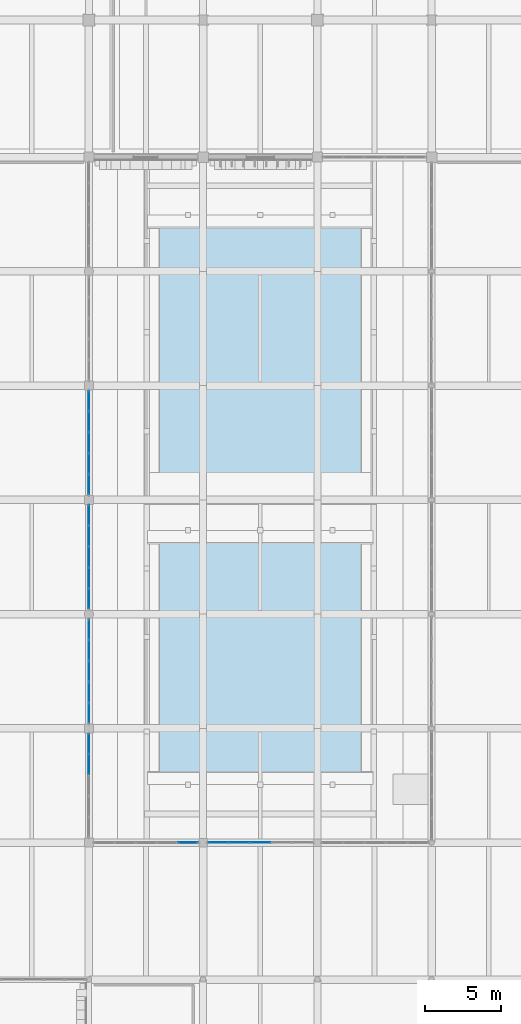
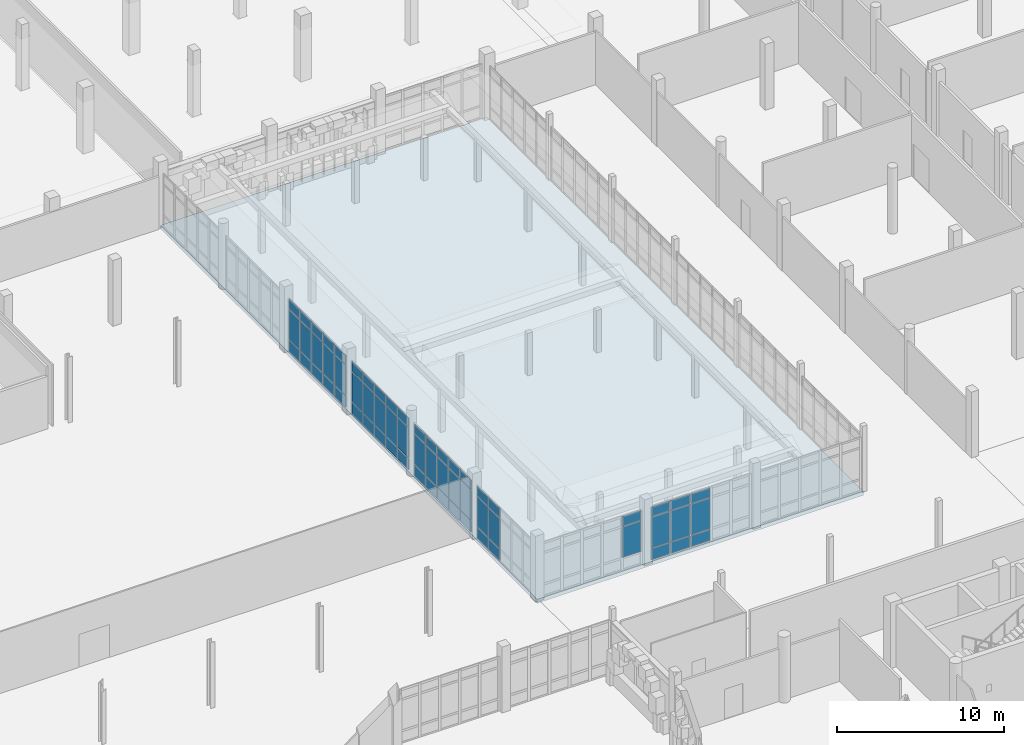
# One storey, part 76 of 125: 62 plates, 1 slab, 6 elements without a shape of their own.
"""IFC4 building model written with IfcOpenShell, lengths in metres."""

from ifc_helpers import new_model, si_unit, direction, frame, origin, origin_2d, place, context, subcontext, project, spatial, polyline, rectangle, outline, extrude, material, layer, layer_set, type_object, element, aggregate, save


model = new_model("IFC4")

# Units and contexts
model_context = context("Model", 3, precision=1e-05, world=origin(), true_north=direction((0.0, 1.0)))
body_context = subcontext(model_context, "Body", "Model", "MODEL_VIEW")
ifc_project = project(units=[si_unit("LENGTHUNIT", "METRE"), si_unit("AREAUNIT", "SQUARE_METRE"), si_unit("VOLUMEUNIT", "CUBIC_METRE"), si_unit("PLANEANGLEUNIT", "RADIAN"), si_unit("MASSUNIT", "GRAM", prefix="KILO")], contexts=[model_context])

# Site, building, storey
site_placement = place(None, origin())
site = spatial("IfcSite", under=ifc_project, at=site_placement, CompositionType="ELEMENT")
building_placement = place(site_placement, origin())
building = spatial("IfcBuilding", under=site, at=building_placement, Name="Dalvernix Boulevard General Hospital", CompositionType="ELEMENT")
storey_placement = place(building_placement, origin())
storey = spatial("IfcBuildingStorey", under=building, at=storey_placement, Name="L00", CompositionType="ELEMENT", Elevation=0.0)

# Curtain wall, plates
ifc_material_1 = material(Name="Thermally broken aluminium and solar-control glass curtain wall", Category="aluminium")
ifc_layer_1 = layer(ifc_material_1, 0.159912109375)
ifc_layer_set_1 = layer_set([ifc_layer_1], Name="Thermally broken aluminium and solar-control glass curtain wall (CW-CW-A-69x39)")
curtain_wall_type_1 = type_object("IfcCurtainWallType", Name="CW-CW-A-69x39", PredefinedType="USERDEFINED", material=ifc_layer_set_1)
curtain_wall_1_placement = place(storey_placement, origin())
curtain_wall_1 = element("IfcCurtainWall", 1, at=curtain_wall_1_placement, inside=storey, type_object=curtain_wall_type_1, Name="L00 curtain wall CW-A-69x39 15-6", ObjectType="GLAZED FACADE", PredefinedType="USERDEFINED")
ifc_material_2 = material(Name="Double-glazed solar-control low-emissivity glass", Category="glass")
ifc_layer_2 = layer(ifc_material_2, 0.02392578125)
ifc_layer_set_2 = layer_set([ifc_layer_2], Name="Double-glazed solar-control low-emissivity glass (PLT-CW-P1)")
plate_type_1 = type_object("IfcPlateType", Name="PLT-CW-P1", PredefinedType="CURTAIN_PANEL", material=ifc_layer_set_2)
plate_1_placement = place(storey_placement, frame((112.5, 52.987060546875, 0.06005859375), z_axis=(0.0, 0.0, 1.0), x_axis=(0.0, -1.0, 0.0)))
plate_1 = element("IfcPlate", 2, at=plate_1_placement, type_object=plate_type_1, Name="CW-A-69x39 panel 1.1", PredefinedType="CURTAIN_PANEL", context=body_context, shape_type="SweptSolid", body=[
    extrude(rectangle(XDim=1.285888671875, YDim=0.02392578125, at=origin_2d()), origin(), (0.0, 0.0, 1.0), 0.81005859375),
])
plate_2_placement = place(storey_placement, frame((112.5, 52.987060546875, 0.929931640625), z_axis=(0.0, 0.0, 1.0), x_axis=(0.0, -1.0, 0.0)))
plate_2 = element("IfcPlate", 3, at=plate_2_placement, type_object=plate_type_1, Name="CW-A-69x39 panel 1.2", PredefinedType="CURTAIN_PANEL", context=body_context, shape_type="SweptSolid", body=[
    extrude(rectangle(XDim=1.285888671875, YDim=0.02392578125, at=origin_2d()), origin(), (0.0, 0.0, 1.0), 2.18994140625),
])
plate_3_placement = place(storey_placement, frame((112.5, 52.987060546875, 3.18017578125), z_axis=(0.0, 0.0, 1.0), x_axis=(0.0, -1.0, 0.0)))
plate_3 = element("IfcPlate", 4, at=plate_3_placement, type_object=plate_type_1, Name="CW-A-69x39 panel 1.3", PredefinedType="CURTAIN_PANEL", context=body_context, shape_type="SweptSolid", body=[
    extrude(rectangle(XDim=1.285888671875, YDim=0.02392578125, at=origin_2d()), origin(), (0.0, 0.0, 1.0), 0.659912109375),
])
plate_4_placement = place(storey_placement, frame((112.5, 51.6259765625, 0.06005859375), z_axis=(0.0, 0.0, 1.0), x_axis=(0.0, -1.0, 0.0)))
plate_4 = element("IfcPlate", 5, at=plate_4_placement, type_object=plate_type_1, Name="CW-A-69x39 panel 2.1", PredefinedType="CURTAIN_PANEL", context=body_context, shape_type="SweptSolid", body=[
    extrude(rectangle(XDim=1.31591796875, YDim=0.02392578125, at=origin_2d()), origin(), (0.0, 0.0, 1.0), 0.81005859375),
])
plate_5_placement = place(storey_placement, frame((112.5, 51.6259765625, 0.929931640625), z_axis=(0.0, 0.0, 1.0), x_axis=(0.0, -1.0, 0.0)))
plate_5 = element("IfcPlate", 6, at=plate_5_placement, type_object=plate_type_1, Name="CW-A-69x39 panel 2.2", PredefinedType="CURTAIN_PANEL", context=body_context, shape_type="SweptSolid", body=[
    extrude(rectangle(XDim=1.31591796875, YDim=0.02392578125, at=origin_2d()), origin(), (0.0, 0.0, 1.0), 2.18994140625),
])
plate_6_placement = place(storey_placement, frame((112.5, 51.6259765625, 3.18017578125), z_axis=(0.0, 0.0, 1.0), x_axis=(0.0, -1.0, 0.0)))
plate_6 = element("IfcPlate", 7, at=plate_6_placement, type_object=plate_type_1, Name="CW-A-69x39 panel 2.3", PredefinedType="CURTAIN_PANEL", context=body_context, shape_type="SweptSolid", body=[
    extrude(rectangle(XDim=1.31591796875, YDim=0.02392578125, at=origin_2d()), origin(), (0.0, 0.0, 1.0), 0.659912109375),
])
plate_7_placement = place(storey_placement, frame((112.5, 50.25, 0.06005859375), z_axis=(0.0, 0.0, 1.0), x_axis=(0.0, -1.0, 0.0)))
plate_7 = element("IfcPlate", 8, at=plate_7_placement, type_object=plate_type_1, Name="CW-A-69x39 panel 3.1", PredefinedType="CURTAIN_PANEL", context=body_context, shape_type="SweptSolid", body=[
    extrude(rectangle(XDim=1.31591796875, YDim=0.02392578125, at=origin_2d()), origin(), (0.0, 0.0, 1.0), 0.81005859375),
])
plate_8_placement = place(storey_placement, frame((112.5, 50.25, 0.929931640625), z_axis=(0.0, 0.0, 1.0), x_axis=(0.0, -1.0, 0.0)))
plate_8 = element("IfcPlate", 9, at=plate_8_placement, type_object=plate_type_1, Name="CW-A-69x39 panel 3.2", PredefinedType="CURTAIN_PANEL", context=body_context, shape_type="SweptSolid", body=[
    extrude(rectangle(XDim=1.31591796875, YDim=0.02392578125, at=origin_2d()), origin(), (0.0, 0.0, 1.0), 2.18994140625),
])
plate_9_placement = place(storey_placement, frame((112.5, 50.25, 3.18017578125), z_axis=(0.0, 0.0, 1.0), x_axis=(0.0, -1.0, 0.0)))
plate_9 = element("IfcPlate", 10, at=plate_9_placement, type_object=plate_type_1, Name="CW-A-69x39 panel 3.3", PredefinedType="CURTAIN_PANEL", context=body_context, shape_type="SweptSolid", body=[
    extrude(rectangle(XDim=1.31591796875, YDim=0.02392578125, at=origin_2d()), origin(), (0.0, 0.0, 1.0), 0.659912109375),
])
plate_10_placement = place(storey_placement, frame((112.5, 48.8740234375, 0.06005859375), z_axis=(0.0, 0.0, 1.0), x_axis=(0.0, -1.0, 0.0)))
plate_10 = element("IfcPlate", 11, at=plate_10_placement, type_object=plate_type_1, Name="CW-A-69x39 panel 4.1", PredefinedType="CURTAIN_PANEL", context=body_context, shape_type="SweptSolid", body=[
    extrude(rectangle(XDim=1.31591796875, YDim=0.02392578125, at=origin_2d()), origin(), (0.0, 0.0, 1.0), 0.81005859375),
])
plate_11_placement = place(storey_placement, frame((112.5, 48.8740234375, 0.929931640625), z_axis=(0.0, 0.0, 1.0), x_axis=(0.0, -1.0, 0.0)))
plate_11 = element("IfcPlate", 12, at=plate_11_placement, type_object=plate_type_1, Name="CW-A-69x39 panel 4.2", PredefinedType="CURTAIN_PANEL", context=body_context, shape_type="SweptSolid", body=[
    extrude(rectangle(XDim=1.31591796875, YDim=0.02392578125, at=origin_2d()), origin(), (0.0, 0.0, 1.0), 2.18994140625),
])
plate_12_placement = place(storey_placement, frame((112.5, 48.8740234375, 3.18017578125), z_axis=(0.0, 0.0, 1.0), x_axis=(0.0, -1.0, 0.0)))
plate_12 = element("IfcPlate", 13, at=plate_12_placement, type_object=plate_type_1, Name="CW-A-69x39 panel 4.3", PredefinedType="CURTAIN_PANEL", context=body_context, shape_type="SweptSolid", body=[
    extrude(rectangle(XDim=1.31591796875, YDim=0.02392578125, at=origin_2d()), origin(), (0.0, 0.0, 1.0), 0.659912109375),
])
plate_13_placement = place(storey_placement, frame((112.5, 47.512939453125, 0.06005859375), z_axis=(0.0, 0.0, 1.0), x_axis=(0.0, -1.0, 0.0)))
plate_13 = element("IfcPlate", 14, at=plate_13_placement, type_object=plate_type_1, Name="CW-A-69x39 panel 5.1", PredefinedType="CURTAIN_PANEL", context=body_context, shape_type="SweptSolid", body=[
    extrude(rectangle(XDim=1.285888671875, YDim=0.02392578125, at=origin_2d()), origin(), (0.0, 0.0, 1.0), 0.81005859375),
])
plate_14_placement = place(storey_placement, frame((112.5, 47.512939453125, 0.929931640625), z_axis=(0.0, 0.0, 1.0), x_axis=(0.0, -1.0, 0.0)))
plate_14 = element("IfcPlate", 15, at=plate_14_placement, type_object=plate_type_1, Name="CW-A-69x39 panel 5.2", PredefinedType="CURTAIN_PANEL", context=body_context, shape_type="SweptSolid", body=[
    extrude(rectangle(XDim=1.285888671875, YDim=0.02392578125, at=origin_2d()), origin(), (0.0, 0.0, 1.0), 2.18994140625),
])
plate_15_placement = place(storey_placement, frame((112.5, 47.512939453125, 3.18017578125), z_axis=(0.0, 0.0, 1.0), x_axis=(0.0, -1.0, 0.0)))
plate_15 = element("IfcPlate", 16, at=plate_15_placement, type_object=plate_type_1, Name="CW-A-69x39 panel 5.3", PredefinedType="CURTAIN_PANEL", context=body_context, shape_type="SweptSolid", body=[
    extrude(rectangle(XDim=1.285888671875, YDim=0.02392578125, at=origin_2d()), origin(), (0.0, 0.0, 1.0), 0.659912109375),
])
aggregate(curtain_wall_1, [plate_1, plate_2, plate_3, plate_4, plate_5, plate_6, plate_7, plate_8, plate_9, plate_10, plate_11, plate_12, plate_13, plate_14, plate_15])

ifc_layer_3 = layer(ifc_material_1, 0.179931640625)
ifc_layer_set_3 = layer_set([ifc_layer_3], Name="Thermally broken aluminium and solar-control glass curtain wall (CW-CW-B-69x39)")
curtain_wall_type_2 = type_object("IfcCurtainWallType", Name="CW-CW-B-69x39", PredefinedType="USERDEFINED", material=ifc_layer_set_3)
curtain_wall_2_placement = place(storey_placement, origin())
curtain_wall_2 = element("IfcCurtainWall", 17, at=curtain_wall_2_placement, inside=storey, type_object=curtain_wall_type_2, Name="L00 curtain wall CW-B-69x39 15-4", ObjectType="GLAZED FACADE", PredefinedType="USERDEFINED")
ifc_layer_4 = layer(ifc_material_2, 0.028076171875)
ifc_layer_set_4 = layer_set([ifc_layer_4], Name="Double-glazed solar-control low-emissivity glass (PLT-CW-P2)")
plate_type_2 = type_object("IfcPlateType", Name="PLT-CW-P2", PredefinedType="CURTAIN_PANEL", material=ifc_layer_set_4)
plate_16_placement = place(storey_placement, frame((112.5, 37.98583984375, 0.06494140625), z_axis=(0.0, 0.0, 1.0), x_axis=(0.0, -1.0, 0.0)))
plate_16 = element("IfcPlate", 18, at=plate_16_placement, type_object=plate_type_2, Name="CW-B-69x39 panel 1.1", PredefinedType="CURTAIN_PANEL", context=body_context, shape_type="SweptSolid", body=[
    extrude(rectangle(XDim=1.278564453125, YDim=0.028076171875, at=origin_2d()), origin(), (0.0, 0.0, 1.0), 0.802490234375),
])
plate_17_placement = place(storey_placement, frame((112.5, 37.98583984375, 0.932373046875), z_axis=(0.0, 0.0, 1.0), x_axis=(0.0, -1.0, 0.0)))
plate_17 = element("IfcPlate", 19, at=plate_17_placement, type_object=plate_type_2, Name="CW-B-69x39 panel 1.2", PredefinedType="CURTAIN_PANEL", context=body_context, shape_type="SweptSolid", body=[
    extrude(rectangle(XDim=1.278564453125, YDim=0.028076171875, at=origin_2d()), origin(), (0.0, 0.0, 1.0), 2.18505859375),
])
plate_18_placement = place(storey_placement, frame((112.5, 37.98583984375, 3.1826171875), z_axis=(0.0, 0.0, 1.0), x_axis=(0.0, -1.0, 0.0)))
plate_18 = element("IfcPlate", 20, at=plate_18_placement, type_object=plate_type_2, Name="CW-B-69x39 panel 1.3", PredefinedType="CURTAIN_PANEL", context=body_context, shape_type="SweptSolid", body=[
    extrude(rectangle(XDim=1.278564453125, YDim=0.028076171875, at=origin_2d()), origin(), (0.0, 0.0, 1.0), 0.652587890625),
])
plate_19_placement = place(storey_placement, frame((112.5, 36.6259765625, 0.06494140625), z_axis=(0.0, 0.0, 1.0), x_axis=(0.0, -1.0, 0.0)))
plate_19 = element("IfcPlate", 21, at=plate_19_placement, type_object=plate_type_2, Name="CW-B-69x39 panel 2.1", PredefinedType="CURTAIN_PANEL", context=body_context, shape_type="SweptSolid", body=[
    extrude(rectangle(XDim=1.31103515625, YDim=0.028076171875, at=origin_2d()), origin(), (0.0, 0.0, 1.0), 0.802490234375),
])
plate_20_placement = place(storey_placement, frame((112.5, 36.6259765625, 0.932373046875), z_axis=(0.0, 0.0, 1.0), x_axis=(0.0, -1.0, 0.0)))
plate_20 = element("IfcPlate", 22, at=plate_20_placement, type_object=plate_type_2, Name="CW-B-69x39 panel 2.2", PredefinedType="CURTAIN_PANEL", context=body_context, shape_type="SweptSolid", body=[
    extrude(rectangle(XDim=1.31103515625, YDim=0.028076171875, at=origin_2d()), origin(), (0.0, 0.0, 1.0), 2.18505859375),
])
plate_21_placement = place(storey_placement, frame((112.5, 36.6259765625, 3.1826171875), z_axis=(0.0, 0.0, 1.0), x_axis=(0.0, -1.0, 0.0)))
plate_21 = element("IfcPlate", 23, at=plate_21_placement, type_object=plate_type_2, Name="CW-B-69x39 panel 2.3", PredefinedType="CURTAIN_PANEL", context=body_context, shape_type="SweptSolid", body=[
    extrude(rectangle(XDim=1.31103515625, YDim=0.028076171875, at=origin_2d()), origin(), (0.0, 0.0, 1.0), 0.652587890625),
])
aggregate(curtain_wall_2, [plate_16, plate_17, plate_18, plate_19, plate_20, plate_21])

curtain_wall_3_placement = place(storey_placement, origin())
curtain_wall_3 = element("IfcCurtainWall", 24, at=curtain_wall_3_placement, inside=storey, type_object=curtain_wall_type_2, Name="L00 curtain wall CW-B-69x39 15-7", ObjectType="GLAZED FACADE", PredefinedType="USERDEFINED")
plate_22_placement = place(storey_placement, frame((112.5, 60.48583984375, 0.06494140625), z_axis=(0.0, 0.0, 1.0), x_axis=(0.0, -1.0, 0.0)))
plate_22 = element("IfcPlate", 25, at=plate_22_placement, type_object=plate_type_2, Name="CW-B-69x39 panel 1.1", PredefinedType="CURTAIN_PANEL", context=body_context, shape_type="SweptSolid", body=[
    extrude(rectangle(XDim=1.278564453125, YDim=0.028076171875, at=origin_2d()), origin(), (0.0, 0.0, 1.0), 0.802490234375),
])
plate_23_placement = place(storey_placement, frame((112.5, 60.48583984375, 0.932373046875), z_axis=(0.0, 0.0, 1.0), x_axis=(0.0, -1.0, 0.0)))
plate_23 = element("IfcPlate", 26, at=plate_23_placement, type_object=plate_type_2, Name="CW-B-69x39 panel 1.2", PredefinedType="CURTAIN_PANEL", context=body_context, shape_type="SweptSolid", body=[
    extrude(rectangle(XDim=1.278564453125, YDim=0.028076171875, at=origin_2d()), origin(), (0.0, 0.0, 1.0), 2.18505859375),
])
plate_24_placement = place(storey_placement, frame((112.5, 60.48583984375, 3.1826171875), z_axis=(0.0, 0.0, 1.0), x_axis=(0.0, -1.0, 0.0)))
plate_24 = element("IfcPlate", 27, at=plate_24_placement, type_object=plate_type_2, Name="CW-B-69x39 panel 1.3", PredefinedType="CURTAIN_PANEL", context=body_context, shape_type="SweptSolid", body=[
    extrude(rectangle(XDim=1.278564453125, YDim=0.028076171875, at=origin_2d()), origin(), (0.0, 0.0, 1.0), 0.652587890625),
])
plate_25_placement = place(storey_placement, frame((112.5, 59.1259765625, 0.06494140625), z_axis=(0.0, 0.0, 1.0), x_axis=(0.0, -1.0, 0.0)))
plate_25 = element("IfcPlate", 28, at=plate_25_placement, type_object=plate_type_2, Name="CW-B-69x39 panel 2.1", PredefinedType="CURTAIN_PANEL", context=body_context, shape_type="SweptSolid", body=[
    extrude(rectangle(XDim=1.31103515625, YDim=0.028076171875, at=origin_2d()), origin(), (0.0, 0.0, 1.0), 0.802490234375),
])
plate_26_placement = place(storey_placement, frame((112.5, 59.1259765625, 0.932373046875), z_axis=(0.0, 0.0, 1.0), x_axis=(0.0, -1.0, 0.0)))
plate_26 = element("IfcPlate", 29, at=plate_26_placement, type_object=plate_type_2, Name="CW-B-69x39 panel 2.2", PredefinedType="CURTAIN_PANEL", context=body_context, shape_type="SweptSolid", body=[
    extrude(rectangle(XDim=1.31103515625, YDim=0.028076171875, at=origin_2d()), origin(), (0.0, 0.0, 1.0), 2.18505859375),
])
plate_27_placement = place(storey_placement, frame((112.5, 59.1259765625, 3.1826171875), z_axis=(0.0, 0.0, 1.0), x_axis=(0.0, -1.0, 0.0)))
plate_27 = element("IfcPlate", 30, at=plate_27_placement, type_object=plate_type_2, Name="CW-B-69x39 panel 2.3", PredefinedType="CURTAIN_PANEL", context=body_context, shape_type="SweptSolid", body=[
    extrude(rectangle(XDim=1.31103515625, YDim=0.028076171875, at=origin_2d()), origin(), (0.0, 0.0, 1.0), 0.652587890625),
])
plate_28_placement = place(storey_placement, frame((112.5, 57.75, 0.06494140625), z_axis=(0.0, 0.0, 1.0), x_axis=(0.0, -1.0, 0.0)))
plate_28 = element("IfcPlate", 31, at=plate_28_placement, type_object=plate_type_2, Name="CW-B-69x39 panel 3.1", PredefinedType="CURTAIN_PANEL", context=body_context, shape_type="SweptSolid", body=[
    extrude(rectangle(XDim=1.31103515625, YDim=0.028076171875, at=origin_2d()), origin(), (0.0, 0.0, 1.0), 0.802490234375),
])
plate_29_placement = place(storey_placement, frame((112.5, 57.75, 0.932373046875), z_axis=(0.0, 0.0, 1.0), x_axis=(0.0, -1.0, 0.0)))
plate_29 = element("IfcPlate", 32, at=plate_29_placement, type_object=plate_type_2, Name="CW-B-69x39 panel 3.2", PredefinedType="CURTAIN_PANEL", context=body_context, shape_type="SweptSolid", body=[
    extrude(rectangle(XDim=1.31103515625, YDim=0.028076171875, at=origin_2d()), origin(), (0.0, 0.0, 1.0), 2.18505859375),
])
plate_30_placement = place(storey_placement, frame((112.5, 57.75, 3.1826171875), z_axis=(0.0, 0.0, 1.0), x_axis=(0.0, -1.0, 0.0)))
plate_30 = element("IfcPlate", 33, at=plate_30_placement, type_object=plate_type_2, Name="CW-B-69x39 panel 3.3", PredefinedType="CURTAIN_PANEL", context=body_context, shape_type="SweptSolid", body=[
    extrude(rectangle(XDim=1.31103515625, YDim=0.028076171875, at=origin_2d()), origin(), (0.0, 0.0, 1.0), 0.652587890625),
])
plate_31_placement = place(storey_placement, frame((112.5, 56.3740234375, 0.06494140625), z_axis=(0.0, 0.0, 1.0), x_axis=(0.0, -1.0, 0.0)))
plate_31 = element("IfcPlate", 34, at=plate_31_placement, type_object=plate_type_2, Name="CW-B-69x39 panel 4.1", PredefinedType="CURTAIN_PANEL", context=body_context, shape_type="SweptSolid", body=[
    extrude(rectangle(XDim=1.31103515625, YDim=0.028076171875, at=origin_2d()), origin(), (0.0, 0.0, 1.0), 0.802490234375),
])
plate_32_placement = place(storey_placement, frame((112.5, 56.3740234375, 0.932373046875), z_axis=(0.0, 0.0, 1.0), x_axis=(0.0, -1.0, 0.0)))
plate_32 = element("IfcPlate", 35, at=plate_32_placement, type_object=plate_type_2, Name="CW-B-69x39 panel 4.2", PredefinedType="CURTAIN_PANEL", context=body_context, shape_type="SweptSolid", body=[
    extrude(rectangle(XDim=1.31103515625, YDim=0.028076171875, at=origin_2d()), origin(), (0.0, 0.0, 1.0), 2.18505859375),
])
plate_33_placement = place(storey_placement, frame((112.5, 56.3740234375, 3.1826171875), z_axis=(0.0, 0.0, 1.0), x_axis=(0.0, -1.0, 0.0)))
plate_33 = element("IfcPlate", 36, at=plate_33_placement, type_object=plate_type_2, Name="CW-B-69x39 panel 4.3", PredefinedType="CURTAIN_PANEL", context=body_context, shape_type="SweptSolid", body=[
    extrude(rectangle(XDim=1.31103515625, YDim=0.028076171875, at=origin_2d()), origin(), (0.0, 0.0, 1.0), 0.652587890625),
])
plate_34_placement = place(storey_placement, frame((112.5, 55.01416015625, 0.06494140625), z_axis=(0.0, 0.0, 1.0), x_axis=(0.0, -1.0, 0.0)))
plate_34 = element("IfcPlate", 37, at=plate_34_placement, type_object=plate_type_2, Name="CW-B-69x39 panel 5.1", PredefinedType="CURTAIN_PANEL", context=body_context, shape_type="SweptSolid", body=[
    extrude(rectangle(XDim=1.278564453125, YDim=0.028076171875, at=origin_2d()), origin(), (0.0, 0.0, 1.0), 0.802490234375),
])
plate_35_placement = place(storey_placement, frame((112.5, 55.01416015625, 0.932373046875), z_axis=(0.0, 0.0, 1.0), x_axis=(0.0, -1.0, 0.0)))
plate_35 = element("IfcPlate", 38, at=plate_35_placement, type_object=plate_type_2, Name="CW-B-69x39 panel 5.2", PredefinedType="CURTAIN_PANEL", context=body_context, shape_type="SweptSolid", body=[
    extrude(rectangle(XDim=1.278564453125, YDim=0.028076171875, at=origin_2d()), origin(), (0.0, 0.0, 1.0), 2.18505859375),
])
plate_36_placement = place(storey_placement, frame((112.5, 55.01416015625, 3.1826171875), z_axis=(0.0, 0.0, 1.0), x_axis=(0.0, -1.0, 0.0)))
plate_36 = element("IfcPlate", 39, at=plate_36_placement, type_object=plate_type_2, Name="CW-B-69x39 panel 5.3", PredefinedType="CURTAIN_PANEL", context=body_context, shape_type="SweptSolid", body=[
    extrude(rectangle(XDim=1.278564453125, YDim=0.028076171875, at=origin_2d()), origin(), (0.0, 0.0, 1.0), 0.652587890625),
])
aggregate(curtain_wall_3, [plate_22, plate_23, plate_24, plate_25, plate_26, plate_27, plate_28, plate_29, plate_30, plate_31, plate_32, plate_33, plate_34, plate_35, plate_36])

ifc_layer_5 = layer(ifc_material_1, 0.179931640625)
ifc_layer_set_5 = layer_set([ifc_layer_5], Name="Thermally broken aluminium and solar-control glass curtain wall (CW-CW-B-69x40)")
curtain_wall_type_3 = type_object("IfcCurtainWallType", Name="CW-CW-B-69x40", PredefinedType="USERDEFINED", material=ifc_layer_set_5)
curtain_wall_4_placement = place(storey_placement, origin())
curtain_wall_4 = element("IfcCurtainWall", 40, at=curtain_wall_4_placement, inside=storey, type_object=curtain_wall_type_3, Name="L00 curtain wall CW-B-69x40 15-4", ObjectType="GLAZED FACADE", PredefinedType="USERDEFINED")
plate_37_placement = place(storey_placement, frame((119.00830078125, 31.5, 0.9326171875), z_axis=(0.0, 0.0, 1.0), x_axis=(1.0, 0.0, 0.0)))
plate_37 = element("IfcPlate", 41, at=plate_37_placement, type_object=plate_type_2, Name="CW-B-69x40 panel 5.2", PredefinedType="CURTAIN_PANEL", context=body_context, shape_type="SweptSolid", body=[
    extrude(rectangle(XDim=1.283447265625, YDim=0.028076171875, at=origin_2d()), origin(), (0.0, 0.0, 1.0), 2.235107421875),
])
plate_38_placement = place(storey_placement, frame((119.00830078125, 31.5, 3.232421875), z_axis=(0.0, 0.0, 1.0), x_axis=(1.0, 0.0, 0.0)))
plate_38 = element("IfcPlate", 42, at=plate_38_placement, type_object=plate_type_2, Name="CW-B-69x40 panel 5.3", PredefinedType="CURTAIN_PANEL", context=body_context, shape_type="SweptSolid", body=[
    extrude(rectangle(XDim=1.283447265625, YDim=0.028076171875, at=origin_2d()), origin(), (0.0, 0.0, 1.0), 0.652587890625),
])
aggregate(curtain_wall_4, [plate_37, plate_38])

ifc_layer_6 = layer(ifc_material_1, 0.199951171875)
ifc_layer_set_6 = layer_set([ifc_layer_6], Name="Thermally broken aluminium and solar-control glass curtain wall (CW-CW-C-69x39)")
curtain_wall_type_4 = type_object("IfcCurtainWallType", Name="CW-CW-C-69x39", PredefinedType="USERDEFINED", material=ifc_layer_set_6)
curtain_wall_5_placement = place(storey_placement, origin())
curtain_wall_5 = element("IfcCurtainWall", 43, at=curtain_wall_5_placement, inside=storey, type_object=curtain_wall_type_4, Name="L00 curtain wall CW-C-69x39 15-5", ObjectType="GLAZED FACADE", PredefinedType="USERDEFINED")
ifc_layer_7 = layer(ifc_material_2, 0.035888671875)
ifc_layer_set_7 = layer_set([ifc_layer_7], Name="Double-glazed solar-control low-emissivity glass (PLT-CW-P3)")
plate_type_3 = type_object("IfcPlateType", Name="PLT-CW-P3", PredefinedType="CURTAIN_PANEL", material=ifc_layer_set_7)
plate_39_placement = place(storey_placement, frame((112.5, 45.484619140625, 0.070068359375), z_axis=(0.0, 0.0, 1.0), x_axis=(0.0, -1.0, 0.0)))
plate_39 = element("IfcPlate", 44, at=plate_39_placement, type_object=plate_type_3, Name="CW-C-69x39 panel 1.1", PredefinedType="CURTAIN_PANEL", context=body_context, shape_type="SweptSolid", body=[
    extrude(rectangle(XDim=1.27099609375, YDim=0.035888671875, at=origin_2d()), origin(), (0.0, 0.0, 1.0), 0.794921875),
])
plate_40_placement = place(storey_placement, frame((112.5, 45.484619140625, 0.93505859375), z_axis=(0.0, 0.0, 1.0), x_axis=(0.0, -1.0, 0.0)))
plate_40 = element("IfcPlate", 45, at=plate_40_placement, type_object=plate_type_3, Name="CW-C-69x39 panel 1.2", PredefinedType="CURTAIN_PANEL", context=body_context, shape_type="SweptSolid", body=[
    extrude(rectangle(XDim=1.27099609375, YDim=0.035888671875, at=origin_2d()), origin(), (0.0, 0.0, 1.0), 2.179931640625),
])
plate_41_placement = place(storey_placement, frame((112.5, 45.484619140625, 3.18505859375), z_axis=(0.0, 0.0, 1.0), x_axis=(0.0, -1.0, 0.0)))
plate_41 = element("IfcPlate", 46, at=plate_41_placement, type_object=plate_type_3, Name="CW-C-69x39 panel 1.3", PredefinedType="CURTAIN_PANEL", context=body_context, shape_type="SweptSolid", body=[
    extrude(rectangle(XDim=1.27099609375, YDim=0.035888671875, at=origin_2d()), origin(), (0.0, 0.0, 1.0), 0.64501953125),
])
plate_42_placement = place(storey_placement, frame((112.5, 44.1259765625, 0.070068359375), z_axis=(0.0, 0.0, 1.0), x_axis=(0.0, -1.0, 0.0)))
plate_42 = element("IfcPlate", 47, at=plate_42_placement, type_object=plate_type_3, Name="CW-C-69x39 panel 2.1", PredefinedType="CURTAIN_PANEL", context=body_context, shape_type="SweptSolid", body=[
    extrude(rectangle(XDim=1.305908203125, YDim=0.035888671875, at=origin_2d()), origin(), (0.0, 0.0, 1.0), 0.794921875),
])
plate_43_placement = place(storey_placement, frame((112.5, 44.1259765625, 0.93505859375), z_axis=(0.0, 0.0, 1.0), x_axis=(0.0, -1.0, 0.0)))
plate_43 = element("IfcPlate", 48, at=plate_43_placement, type_object=plate_type_3, Name="CW-C-69x39 panel 2.2", PredefinedType="CURTAIN_PANEL", context=body_context, shape_type="SweptSolid", body=[
    extrude(rectangle(XDim=1.305908203125, YDim=0.035888671875, at=origin_2d()), origin(), (0.0, 0.0, 1.0), 2.179931640625),
])
plate_44_placement = place(storey_placement, frame((112.5, 44.1259765625, 3.18505859375), z_axis=(0.0, 0.0, 1.0), x_axis=(0.0, -1.0, 0.0)))
plate_44 = element("IfcPlate", 49, at=plate_44_placement, type_object=plate_type_3, Name="CW-C-69x39 panel 2.3", PredefinedType="CURTAIN_PANEL", context=body_context, shape_type="SweptSolid", body=[
    extrude(rectangle(XDim=1.305908203125, YDim=0.035888671875, at=origin_2d()), origin(), (0.0, 0.0, 1.0), 0.64501953125),
])
plate_45_placement = place(storey_placement, frame((112.5, 42.75, 0.070068359375), z_axis=(0.0, 0.0, 1.0), x_axis=(0.0, -1.0, 0.0)))
plate_45 = element("IfcPlate", 50, at=plate_45_placement, type_object=plate_type_3, Name="CW-C-69x39 panel 3.1", PredefinedType="CURTAIN_PANEL", context=body_context, shape_type="SweptSolid", body=[
    extrude(rectangle(XDim=1.305908203125, YDim=0.035888671875, at=origin_2d()), origin(), (0.0, 0.0, 1.0), 0.794921875),
])
plate_46_placement = place(storey_placement, frame((112.5, 42.75, 0.93505859375), z_axis=(0.0, 0.0, 1.0), x_axis=(0.0, -1.0, 0.0)))
plate_46 = element("IfcPlate", 51, at=plate_46_placement, type_object=plate_type_3, Name="CW-C-69x39 panel 3.2", PredefinedType="CURTAIN_PANEL", context=body_context, shape_type="SweptSolid", body=[
    extrude(rectangle(XDim=1.305908203125, YDim=0.035888671875, at=origin_2d()), origin(), (0.0, 0.0, 1.0), 2.179931640625),
])
plate_47_placement = place(storey_placement, frame((112.5, 42.75, 3.18505859375), z_axis=(0.0, 0.0, 1.0), x_axis=(0.0, -1.0, 0.0)))
plate_47 = element("IfcPlate", 52, at=plate_47_placement, type_object=plate_type_3, Name="CW-C-69x39 panel 3.3", PredefinedType="CURTAIN_PANEL", context=body_context, shape_type="SweptSolid", body=[
    extrude(rectangle(XDim=1.305908203125, YDim=0.035888671875, at=origin_2d()), origin(), (0.0, 0.0, 1.0), 0.64501953125),
])
plate_48_placement = place(storey_placement, frame((112.5, 41.3740234375, 0.070068359375), z_axis=(0.0, 0.0, 1.0), x_axis=(0.0, -1.0, 0.0)))
plate_48 = element("IfcPlate", 53, at=plate_48_placement, type_object=plate_type_3, Name="CW-C-69x39 panel 4.1", PredefinedType="CURTAIN_PANEL", context=body_context, shape_type="SweptSolid", body=[
    extrude(rectangle(XDim=1.305908203125, YDim=0.035888671875, at=origin_2d()), origin(), (0.0, 0.0, 1.0), 0.794921875),
])
plate_49_placement = place(storey_placement, frame((112.5, 41.3740234375, 0.93505859375), z_axis=(0.0, 0.0, 1.0), x_axis=(0.0, -1.0, 0.0)))
plate_49 = element("IfcPlate", 54, at=plate_49_placement, type_object=plate_type_3, Name="CW-C-69x39 panel 4.2", PredefinedType="CURTAIN_PANEL", context=body_context, shape_type="SweptSolid", body=[
    extrude(rectangle(XDim=1.305908203125, YDim=0.035888671875, at=origin_2d()), origin(), (0.0, 0.0, 1.0), 2.179931640625),
])
plate_50_placement = place(storey_placement, frame((112.5, 41.3740234375, 3.18505859375), z_axis=(0.0, 0.0, 1.0), x_axis=(0.0, -1.0, 0.0)))
plate_50 = element("IfcPlate", 55, at=plate_50_placement, type_object=plate_type_3, Name="CW-C-69x39 panel 4.3", PredefinedType="CURTAIN_PANEL", context=body_context, shape_type="SweptSolid", body=[
    extrude(rectangle(XDim=1.305908203125, YDim=0.035888671875, at=origin_2d()), origin(), (0.0, 0.0, 1.0), 0.64501953125),
])
plate_51_placement = place(storey_placement, frame((112.5, 40.015380859375, 0.070068359375), z_axis=(0.0, 0.0, 1.0), x_axis=(0.0, -1.0, 0.0)))
plate_51 = element("IfcPlate", 56, at=plate_51_placement, type_object=plate_type_3, Name="CW-C-69x39 panel 5.1", PredefinedType="CURTAIN_PANEL", context=body_context, shape_type="SweptSolid", body=[
    extrude(rectangle(XDim=1.27099609375, YDim=0.035888671875, at=origin_2d()), origin(), (0.0, 0.0, 1.0), 0.794921875),
])
plate_52_placement = place(storey_placement, frame((112.5, 40.015380859375, 0.93505859375), z_axis=(0.0, 0.0, 1.0), x_axis=(0.0, -1.0, 0.0)))
plate_52 = element("IfcPlate", 57, at=plate_52_placement, type_object=plate_type_3, Name="CW-C-69x39 panel 5.2", PredefinedType="CURTAIN_PANEL", context=body_context, shape_type="SweptSolid", body=[
    extrude(rectangle(XDim=1.27099609375, YDim=0.035888671875, at=origin_2d()), origin(), (0.0, 0.0, 1.0), 2.179931640625),
])
plate_53_placement = place(storey_placement, frame((112.5, 40.015380859375, 3.18505859375), z_axis=(0.0, 0.0, 1.0), x_axis=(0.0, -1.0, 0.0)))
plate_53 = element("IfcPlate", 58, at=plate_53_placement, type_object=plate_type_3, Name="CW-C-69x39 panel 5.3", PredefinedType="CURTAIN_PANEL", context=body_context, shape_type="SweptSolid", body=[
    extrude(rectangle(XDim=1.27099609375, YDim=0.035888671875, at=origin_2d()), origin(), (0.0, 0.0, 1.0), 0.64501953125),
])
aggregate(curtain_wall_5, [plate_39, plate_40, plate_41, plate_42, plate_43, plate_44, plate_45, plate_46, plate_47, plate_48, plate_49, plate_50, plate_51, plate_52, plate_53])

ifc_layer_8 = layer(ifc_material_1, 0.199951171875)
ifc_layer_set_8 = layer_set([ifc_layer_8], Name="Thermally broken aluminium and solar-control glass curtain wall (CW-CW-C-70x40)")
curtain_wall_type_5 = type_object("IfcCurtainWallType", Name="CW-CW-C-70x40", PredefinedType="USERDEFINED", material=ifc_layer_set_8)
curtain_wall_6_placement = place(storey_placement, origin())
curtain_wall_6 = element("IfcCurtainWall", 59, at=curtain_wall_6_placement, inside=storey, type_object=curtain_wall_type_5, Name="L00 curtain wall CW-C-70x40 16-4", ObjectType="GLAZED FACADE", PredefinedType="USERDEFINED")
plate_54_placement = place(storey_placement, frame((120.998046875, 31.5, 0.070068359375), z_axis=(0.0, 0.0, 1.0), x_axis=(1.0, 0.0, 0.0)))
plate_54 = element("IfcPlate", 60, at=plate_54_placement, type_object=plate_type_3, Name="CW-C-70x40 panel 1.1", PredefinedType="CURTAIN_PANEL", context=body_context, shape_type="SweptSolid", body=[
    extrude(rectangle(XDim=1.285888671875, YDim=0.035888671875, at=origin_2d()), origin(), (0.0, 0.0, 1.0), 0.794921875),
])
plate_55_placement = place(storey_placement, frame((120.998046875, 31.5, 0.93505859375), z_axis=(0.0, 0.0, 1.0), x_axis=(1.0, 0.0, 0.0)))
plate_55 = element("IfcPlate", 61, at=plate_55_placement, type_object=plate_type_3, Name="CW-C-70x40 panel 1.2", PredefinedType="CURTAIN_PANEL", context=body_context, shape_type="SweptSolid", body=[
    extrude(rectangle(XDim=1.285888671875, YDim=0.035888671875, at=origin_2d()), origin(), (0.0, 0.0, 1.0), 2.22998046875),
])
plate_56_placement = place(storey_placement, frame((120.998046875, 31.5, 3.235107421875), z_axis=(0.0, 0.0, 1.0), x_axis=(1.0, 0.0, 0.0)))
plate_56 = element("IfcPlate", 62, at=plate_56_placement, type_object=plate_type_3, Name="CW-C-70x40 panel 1.3", PredefinedType="CURTAIN_PANEL", context=body_context, shape_type="SweptSolid", body=[
    extrude(rectangle(XDim=1.285888671875, YDim=0.035888671875, at=origin_2d()), origin(), (0.0, 0.0, 1.0), 0.64501953125),
])
plate_57_placement = place(storey_placement, frame((122.37158203125, 31.5, 0.070068359375), z_axis=(0.0, 0.0, 1.0), x_axis=(1.0, 0.0, 0.0)))
plate_57 = element("IfcPlate", 63, at=plate_57_placement, type_object=plate_type_3, Name="CW-C-70x40 panel 2.1", PredefinedType="CURTAIN_PANEL", context=body_context, shape_type="SweptSolid", body=[
    extrude(rectangle(XDim=1.321044921875, YDim=0.035888671875, at=origin_2d()), origin(), (0.0, 0.0, 1.0), 0.794921875),
])
plate_58_placement = place(storey_placement, frame((122.37158203125, 31.5, 0.93505859375), z_axis=(0.0, 0.0, 1.0), x_axis=(1.0, 0.0, 0.0)))
plate_58 = element("IfcPlate", 64, at=plate_58_placement, type_object=plate_type_3, Name="CW-C-70x40 panel 2.2", PredefinedType="CURTAIN_PANEL", context=body_context, shape_type="SweptSolid", body=[
    extrude(rectangle(XDim=1.321044921875, YDim=0.035888671875, at=origin_2d()), origin(), (0.0, 0.0, 1.0), 2.22998046875),
])
plate_59_placement = place(storey_placement, frame((122.37158203125, 31.5, 3.235107421875), z_axis=(0.0, 0.0, 1.0), x_axis=(1.0, 0.0, 0.0)))
plate_59 = element("IfcPlate", 65, at=plate_59_placement, type_object=plate_type_3, Name="CW-C-70x40 panel 2.3", PredefinedType="CURTAIN_PANEL", context=body_context, shape_type="SweptSolid", body=[
    extrude(rectangle(XDim=1.321044921875, YDim=0.035888671875, at=origin_2d()), origin(), (0.0, 0.0, 1.0), 0.64501953125),
])
plate_60_placement = place(storey_placement, frame((123.762451171875, 31.5, 0.070068359375), z_axis=(0.0, 0.0, 1.0), x_axis=(1.0, 0.0, 0.0)))
plate_60 = element("IfcPlate", 66, at=plate_60_placement, type_object=plate_type_3, Name="CW-C-70x40 panel 3.1", PredefinedType="CURTAIN_PANEL", context=body_context, shape_type="SweptSolid", body=[
    extrude(rectangle(XDim=1.321044921875, YDim=0.035888671875, at=origin_2d()), origin(), (0.0, 0.0, 1.0), 0.794921875),
])
plate_61_placement = place(storey_placement, frame((123.762451171875, 31.5, 0.93505859375), z_axis=(0.0, 0.0, 1.0), x_axis=(1.0, 0.0, 0.0)))
plate_61 = element("IfcPlate", 67, at=plate_61_placement, type_object=plate_type_3, Name="CW-C-70x40 panel 3.2", PredefinedType="CURTAIN_PANEL", context=body_context, shape_type="SweptSolid", body=[
    extrude(rectangle(XDim=1.321044921875, YDim=0.035888671875, at=origin_2d()), origin(), (0.0, 0.0, 1.0), 2.22998046875),
])
plate_62_placement = place(storey_placement, frame((123.762451171875, 31.5, 3.235107421875), z_axis=(0.0, 0.0, 1.0), x_axis=(1.0, 0.0, 0.0)))
plate_62 = element("IfcPlate", 68, at=plate_62_placement, type_object=plate_type_3, Name="CW-C-70x40 panel 3.3", PredefinedType="CURTAIN_PANEL", context=body_context, shape_type="SweptSolid", body=[
    extrude(rectangle(XDim=1.321044921875, YDim=0.035888671875, at=origin_2d()), origin(), (0.0, 0.0, 1.0), 0.64501953125),
])
aggregate(curtain_wall_6, [plate_54, plate_55, plate_56, plate_57, plate_58, plate_59, plate_60, plate_61, plate_62])

# Slab
ifc_material_3 = material(Name="Concrete C35/45", Category="concrete")
ifc_layer_9 = layer(ifc_material_3, 0.239990234375)
ifc_layer_set_9 = layer_set([ifc_layer_9], Name="Concrete C35/45 (SLB-TS-01)")
slab_type = type_object("IfcSlabType", Name="SLB-TS-01", PredefinedType="FLOOR", material=ifc_layer_set_9)
slab_placement = place(storey_placement, frame((0.0, 0.0, -0.360107421875)))
element("IfcSlab", 69, at=slab_placement, inside=storey, type_object=slab_type, Name="L00 planted cloister structural podium slab 2", PredefinedType="FLOOR", context=body_context, shape_type="SweptSolid", body=[
    extrude(outline(polyline([(112.5, 61.5), (112.5, 69.0), (112.5, 76.5), (120.0, 76.5), (127.5, 76.5), (135.0, 76.5), (135.0, 69.0), (135.0, 61.5), (135.0, 54.0), (135.0, 46.5), (135.0, 39.0), (135.0, 31.5), (127.5, 31.5), (120.0, 31.5), (112.5, 31.5), (112.5, 39.0), (112.5, 46.5), (112.5, 54.0), (112.5, 61.5)])), origin(), (0.0, 0.0, 1.0), 0.280029296875),
])

save(model, "model.ifc")
